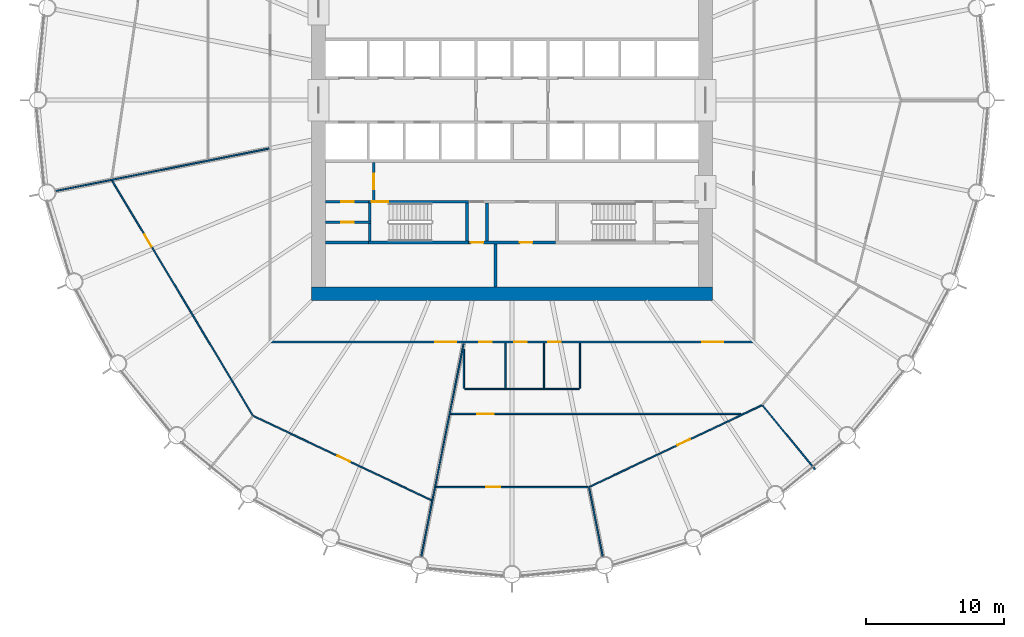
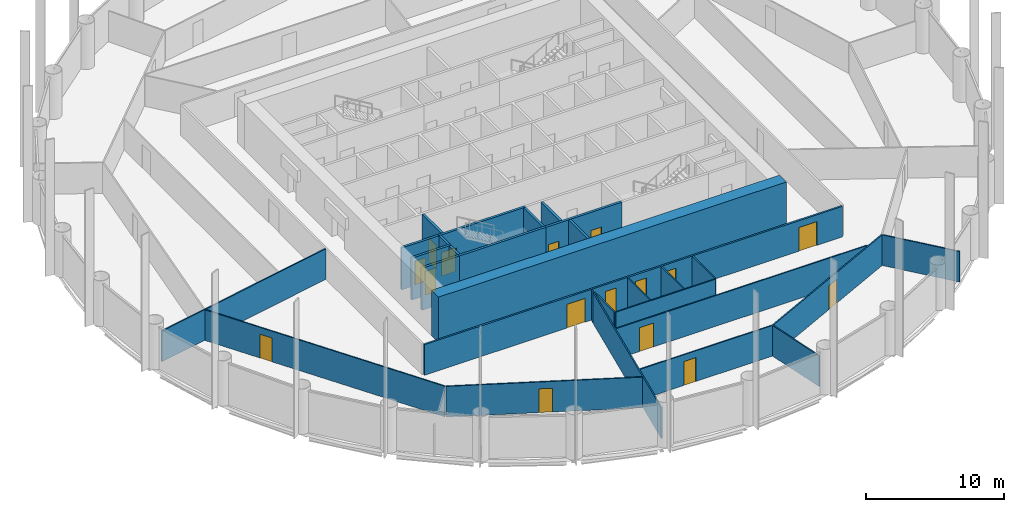
# One storey, part 4 of 10: 29 walls, 16 doors, 16 openings.
"""IFC4 building model written with IfcOpenShell, lengths in metres."""

from ifc_helpers import new_model, si_unit, direction, frame, frame_2d, origin, place, context, subcontext, project, spatial, polyline, rectangle, outline, extrude, material, layer, layer_set, type_object, element, fill, save


model = new_model("IFC4")

# Units and contexts
model_context = context("Model", 3, precision=1e-05, world=origin(), true_north=direction((0.0, 1.0)))
body_context = subcontext(model_context, "Body", "Model", "MODEL_VIEW")
ifc_project = project(units=[si_unit("LENGTHUNIT", "METRE"), si_unit("AREAUNIT", "SQUARE_METRE"), si_unit("VOLUMEUNIT", "CUBIC_METRE"), si_unit("PLANEANGLEUNIT", "RADIAN"), si_unit("MASSUNIT", "GRAM", prefix="KILO")], contexts=[model_context])

# Site, building, storey
site_placement = place(None, origin())
site = spatial("IfcSite", under=ifc_project, at=site_placement, CompositionType="ELEMENT")
building_placement = place(site_placement, origin())
building = spatial("IfcBuilding", under=site, at=building_placement, Name="Corvane Civic Tower", CompositionType="ELEMENT")
storey_placement = place(building_placement, frame((0.0, 0.0, 118.5)))
storey = spatial("IfcBuildingStorey", under=building, at=storey_placement, Name="L27", CompositionType="ELEMENT", Elevation=118.5)

# Wall
ifc_material_1 = material(Name="Concrete C70/85", Category="concrete")
ifc_layer_1 = layer(ifc_material_1, 1.0)
ifc_layer_set_1 = layer_set([ifc_layer_1], Name="Concrete C70/85")
wall_type_1 = type_object("IfcWallType", Name="CORE WALL 1000 C70/85", PredefinedType="SHEAR", material=ifc_layer_set_1)
wall_1_placement = place(storey_placement, frame((-14.5, -14.0, 0.0), z_axis=(0.0, 0.0, 1.0), x_axis=(1.0, 0.0, 0.0)))
element("IfcWall", 1, at=wall_1_placement, inside=storey, type_object=wall_type_1, Name="W-L27-core-S", PredefinedType="SHEAR", context=body_context, shape_type="SweptSolid", body=[
    extrude(rectangle(XDim=29.0, YDim=1.0, at=frame_2d((14.5, 0.0))), origin(), (0.0, 0.0, 1.0), 4.0),
])

# Wall, openings, doors
ifc_material_2 = material(Name="Concrete C30/37", Category="concrete")
ifc_layer_2 = layer(ifc_material_2, 0.199951171875)
ifc_layer_set_2 = layer_set([ifc_layer_2], Name="Concrete C30/37")
wall_type_2 = type_object("IfcWallType", Name="CR-WALL-200", PredefinedType="PARTITIONING", material=ifc_layer_set_2)
wall_2_placement = place(storey_placement, frame((-3.14990234375, -10.300048828125, 0.0), z_axis=(0.0, 0.0, 1.0), x_axis=(1.0, 0.0, 0.0)))
wall_2 = element("IfcWall", 2, at=wall_2_placement, inside=storey, type_object=wall_type_2, Name="L27 partition wall", PredefinedType="PARTITIONING", context=body_context, shape_type="SweptSolid", body=[
    extrude(rectangle(XDim=6.2998046875, YDim=0.199951171875, at=frame_2d((3.14990234375, 0.0))), origin(), (0.0, 0.0, 1.0), 3.699951171875),
])
opening_1_placement = place(wall_2_placement, frame((0.175048828125, 0.0, 0.0)))
opening_1 = element("IfcOpeningElement", 3, at=opening_1_placement, cuts=wall_2, Name="Opening L27.C08", PredefinedType="OPENING", context=body_context, shape_type="SweptSolid", body=[
    extrude(rectangle(XDim=0.89990234375, YDim=2.10009765625, at=frame_2d((0.449951171875, 1.050048828125))), frame((0.0, 0.10986328125, 0.0), z_axis=(0.0, -1.0, 0.0), x_axis=(1.0, 0.0, 0.0)), (0.0, 0.0, 1.0), 0.219970703125),
])
opening_2_placement = place(wall_2_placement, frame((3.72509765625, 0.0, 0.0)))
opening_2 = element("IfcOpeningElement", 4, at=opening_2_placement, cuts=wall_2, Name="Opening L27.C09", PredefinedType="OPENING", context=body_context, shape_type="SweptSolid", body=[
    extrude(rectangle(XDim=0.89990234375, YDim=2.10009765625, at=frame_2d((0.449951171875, 1.050048828125))), frame((0.0, 0.10986328125, 0.0), z_axis=(0.0, -1.0, 0.0), x_axis=(1.0, 0.0, 0.0)), (0.0, 0.0, 1.0), 0.219970703125),
])
ifc_material_3 = material(Name="Steel fire door leaf", Category="steel")
door_type_1 = type_object("IfcDoorType", Name="CR-DOOR-900", OperationType="SINGLE_SWING_LEFT", PredefinedType="DOOR", material=ifc_material_3)
door_1_placement = place(opening_1_placement, origin())
door_1 = element("IfcDoor", 5, at=door_1_placement, inside=storey, type_object=door_type_1, Name="L27 door", OperationType="SINGLE_SWING_LEFT", OverallHeight=2.10009765625, OverallWidth=0.89990234375, PredefinedType="DOOR", context=body_context, shape_type="SweptSolid", body=[
    extrude(rectangle(XDim=0.89990234375, YDim=2.10009765625, at=frame_2d((0.449951171875, 1.050048828125))), frame((0.0, 0.02490234375, 0.0), z_axis=(0.0, -1.0, 0.0), x_axis=(1.0, 0.0, 0.0)), (0.0, 0.0, 1.0), 0.050048828125),
])
fill(opening_1, door_1)
door_2_placement = place(opening_2_placement, origin())
door_2 = element("IfcDoor", 6, at=door_2_placement, inside=storey, type_object=door_type_1, Name="L27 door", OperationType="SINGLE_SWING_LEFT", OverallHeight=2.10009765625, OverallWidth=0.89990234375, PredefinedType="DOOR", context=body_context, shape_type="SweptSolid", body=[
    extrude(rectangle(XDim=0.89990234375, YDim=2.10009765625, at=frame_2d((0.449951171875, 1.050048828125))), frame((0.0, 0.02490234375, 0.0), z_axis=(0.0, -1.0, 0.0), x_axis=(1.0, 0.0, 0.0)), (0.0, 0.0, 1.0), 0.050048828125),
])
fill(opening_2, door_2)

# Wall, opening, door
wall_3_placement = place(storey_placement, frame((-13.5, -8.824951171875, 0.0), z_axis=(0.0, 0.0, 1.0), x_axis=(1.0, 0.0, 0.0)))
wall_3 = element("IfcWall", 7, at=wall_3_placement, inside=storey, type_object=wall_type_2, Name="L27 partition wall", PredefinedType="PARTITIONING", context=body_context, shape_type="SweptSolid", body=[
    extrude(rectangle(XDim=3.300048828125, YDim=0.199951171875, at=frame_2d((1.64990234375, 0.0))), origin(), (0.0, 0.0, 1.0), 3.699951171875),
])
opening_3_placement = place(wall_3_placement, frame((1.14990234375, 0.0, 0.0)))
opening_3 = element("IfcOpeningElement", 8, at=opening_3_placement, cuts=wall_3, Name="Opening L27.C13", PredefinedType="OPENING", context=body_context, shape_type="SweptSolid", body=[
    extrude(rectangle(XDim=0.89990234375, YDim=2.10009765625, at=frame_2d((0.449951171875, 1.050048828125))), frame((0.0, 0.10986328125, 0.0), z_axis=(0.0, -1.0, 0.0), x_axis=(1.0, 0.0, 0.0)), (0.0, 0.0, 1.0), 0.219970703125),
])
door_3_placement = place(opening_3_placement, origin())
door_3 = element("IfcDoor", 9, at=door_3_placement, inside=storey, type_object=door_type_1, Name="L27 door", OperationType="SINGLE_SWING_LEFT", OverallHeight=2.10009765625, OverallWidth=0.89990234375, PredefinedType="DOOR", context=body_context, shape_type="SweptSolid", body=[
    extrude(rectangle(XDim=0.89990234375, YDim=2.10009765625, at=frame_2d((0.449951171875, 1.050048828125))), frame((0.0, 0.02490234375, 0.0), z_axis=(0.0, -1.0, 0.0), x_axis=(1.0, 0.0, 0.0)), (0.0, 0.0, 1.0), 0.050048828125),
])
fill(opening_3, door_3)

wall_4_placement = place(storey_placement, frame((-13.5, -7.35009765625, 0.0), z_axis=(0.0, 0.0, 1.0), x_axis=(1.0, 0.0, 0.0)))
wall_4 = element("IfcWall", 10, at=wall_4_placement, inside=storey, type_object=wall_type_2, Name="L27 core partition wall", PredefinedType="PARTITIONING", context=body_context, shape_type="SweptSolid", body=[
    extrude(rectangle(XDim=3.10009765625, YDim=0.199951171875, at=frame_2d((1.550048828125, 0.0))), origin(), (0.0, 0.0, 1.0), 3.699951171875),
])
opening_4_placement = place(wall_4_placement, frame((1.14990234375, 0.0, 0.0)))
opening_4 = element("IfcOpeningElement", 11, at=opening_4_placement, cuts=wall_4, Name="Opening L27.C12", PredefinedType="OPENING", context=body_context, shape_type="SweptSolid", body=[
    extrude(rectangle(XDim=0.89990234375, YDim=2.10009765625, at=frame_2d((0.449951171875, 1.050048828125))), frame((0.0, 0.10986328125, 0.0), z_axis=(0.0, -1.0, 0.0), x_axis=(1.0, 0.0, 0.0)), (0.0, 0.0, 1.0), 0.219970703125),
])
door_4_placement = place(opening_4_placement, origin())
door_4 = element("IfcDoor", 12, at=door_4_placement, inside=storey, type_object=door_type_1, Name="L27 door", OperationType="SINGLE_SWING_LEFT", OverallHeight=2.10009765625, OverallWidth=0.89990234375, PredefinedType="DOOR", context=body_context, shape_type="SweptSolid", body=[
    extrude(rectangle(XDim=0.89990234375, YDim=2.10009765625, at=frame_2d((0.449951171875, 1.050048828125))), frame((0.0, 0.02490234375, 0.0), z_axis=(0.0, -1.0, 0.0), x_axis=(1.0, 0.0, 0.0)), (0.0, 0.0, 1.0), 0.050048828125),
])
fill(opening_4, door_4)

wall_5_placement = place(storey_placement, frame((-10.0, -7.25, 0.0), z_axis=(0.0, 0.0, 1.0), x_axis=(0.0, 1.0, 0.0)))
wall_5 = element("IfcWall", 13, at=wall_5_placement, inside=storey, type_object=wall_type_2, Name="L27 core partition wall", PredefinedType="PARTITIONING", context=body_context, shape_type="SweptSolid", body=[
    extrude(rectangle(XDim=2.75, YDim=0.199951171875, at=frame_2d((1.375, 0.0))), origin(), (0.0, 0.0, 1.0), 3.699951171875),
])
opening_5_placement = place(wall_5_placement, frame((0.824951171875, 0.0, 0.0)))
opening_5 = element("IfcOpeningElement", 14, at=opening_5_placement, cuts=wall_5, Name="Opening L27.C26", PredefinedType="OPENING", context=body_context, shape_type="SweptSolid", body=[
    extrude(rectangle(XDim=1.10009765625, YDim=2.10009765625, at=frame_2d((0.550048828125, 1.050048828125))), frame((0.0, 0.10986328125, 0.0), z_axis=(0.0, -1.0, 0.0), x_axis=(1.0, 0.0, 0.0)), (0.0, 0.0, 1.0), 0.219970703125),
])
ifc_material_4 = material(Name="Steel fire door leaf", Category="steel")
door_type_2 = type_object("IfcDoorType", Name="CR-DOOR-FFL-1100", OperationType="SINGLE_SWING_LEFT", PredefinedType="DOOR", material=ifc_material_4)
door_5_placement = place(opening_5_placement, origin())
door_5 = element("IfcDoor", 15, at=door_5_placement, inside=storey, type_object=door_type_2, Name="L27 lobby door", OperationType="SINGLE_SWING_LEFT", OverallHeight=2.10009765625, OverallWidth=1.10009765625, PredefinedType="DOOR", context=body_context, shape_type="SweptSolid", body=[
    extrude(rectangle(XDim=1.10009765625, YDim=2.10009765625, at=frame_2d((0.550048828125, 1.050048828125))), frame((0.0, 0.02490234375, 0.0), z_axis=(0.0, -1.0, 0.0), x_axis=(1.0, 0.0, 0.0)), (0.0, 0.0, 1.0), 0.050048828125),
])
fill(opening_5, door_5)

# Walls
wall_6_placement = place(storey_placement, origin())
element("IfcWall", 16, at=wall_6_placement, inside=storey, type_object=wall_type_2, Name="L27 core partition wall", PredefinedType="PARTITIONING", context=body_context, shape_type="SweptSolid", body=[
    extrude(outline(polyline([(-10.39990234375, -10.39990234375), (-13.5, -10.39990234375), (-13.5, -10.199951171875), (-10.39990234375, -10.199951171875), (-10.39990234375, -10.39990234375)])), origin(), (0.0, 0.0, 1.0), 3.699951171875),
])
wall_7_placement = place(storey_placement, origin())
element("IfcWall", 17, at=wall_7_placement, inside=storey, type_object=wall_type_2, Name="L27 core partition wall", PredefinedType="PARTITIONING", context=body_context, shape_type="SweptSolid", body=[
    extrude(outline(polyline([(-1.699951171875, -7.449951171875), (-1.699951171875, -10.199951171875), (-1.89990234375, -10.199951171875), (-1.89990234375, -7.449951171875), (-1.699951171875, -7.449951171875)])), origin(), (0.0, 0.0, 1.0), 3.699951171875),
])
wall_8_placement = place(storey_placement, origin())
element("IfcWall", 18, at=wall_8_placement, inside=storey, type_object=wall_type_2, Name="L27 core partition wall", PredefinedType="PARTITIONING", context=body_context, shape_type="SweptSolid", body=[
    extrude(outline(polyline([(-1.10009765625, -10.39990234375), (-1.10009765625, -13.5), (-1.300048828125, -13.5), (-1.300048828125, -10.39990234375), (-1.10009765625, -10.39990234375)])), origin(), (0.0, 0.0, 1.0), 3.699951171875),
])
ifc_material_5 = material(Name="Plasterboard")
ifc_layer_3 = layer(ifc_material_5, 0.10009765625)
ifc_layer_set_3 = layer_set([ifc_layer_3], Name="Plasterboard")
wall_type_3 = type_object("IfcWallType", Name="Partition 100 plasterboard on studs", PredefinedType="PARTITIONING", material=ifc_layer_set_3)
wall_9_placement = place(storey_placement, frame((-6.567626953125, -33.01806640625, 0.0), z_axis=(0.0, 0.0, 1.0), x_axis=(0.195082522727, 0.980786831746, 0.0)))
element("IfcWall", 19, at=wall_9_placement, inside=storey, type_object=wall_type_3, Name="Partition L27.001", PredefinedType="PARTITIONING", context=body_context, shape_type="SweptSolid", body=[
    extrude(rectangle(XDim=15.309326171875, YDim=0.10009765625, at=frame_2d((7.65478515625, 0.0))), origin(), (0.0, 0.0, 1.0), 2.699951171875),
])
wall_10_placement = place(storey_placement, frame((5.576416015625, -28.034912109375, 0.0), z_axis=(0.0, 0.0, 1.0), x_axis=(0.195090306735, -0.980785283443, 0.0)))
element("IfcWall", 20, at=wall_10_placement, inside=storey, type_object=wall_type_3, Name="Partition L27.002", PredefinedType="PARTITIONING", context=body_context, shape_type="SweptSolid", body=[
    extrude(rectangle(XDim=5.080810546875, YDim=0.10009765625, at=frame_2d((2.54052734375, 0.0))), origin(), (0.0, 0.0, 1.0), 2.699951171875),
])

# Wall, opening, door
wall_11_placement = place(storey_placement, frame((-18.70751953125, -22.854736328125, 0.0), z_axis=(0.0, 0.0, 1.0), x_axis=(0.903989828482, -0.427553961508, 0.0)))
wall_11 = element("IfcWall", 21, at=wall_11_placement, inside=storey, type_object=wall_type_3, Name="Partition L27.003", PredefinedType="PARTITIONING", context=body_context, shape_type="SweptSolid", body=[
    extrude(rectangle(XDim=14.25439453125, YDim=0.10009765625, at=frame_2d((7.127197265625, 0.0))), origin(), (0.0, 0.0, 1.0), 2.699951171875),
])
opening_6_placement = place(wall_11_placement, frame((6.72900390625, 0.0, 0.0)))
opening_6 = element("IfcOpeningElement", 22, at=opening_6_placement, cuts=wall_11, Name="Opening L27.001", PredefinedType="OPENING", context=body_context, shape_type="SweptSolid", body=[
    extrude(rectangle(XDim=1.0, YDim=2.10009765625, at=frame_2d((0.5, 1.050048828125))), frame((0.0, 0.06005859375, 0.0), z_axis=(0.0, -1.0, 0.0), x_axis=(1.0, 0.0, 0.0)), (0.0, 0.0, 1.0), 0.1201171875),
])
ifc_material_6 = material(Name="Timber", Category="wood")
door_type_3 = type_object("IfcDoorType", Name="Single door 1000", OperationType="NOTDEFINED", PredefinedType="DOOR", material=ifc_material_6)
door_6_placement = place(opening_6_placement, frame((1.0, 0.0, 0.0), z_axis=(0.0, 0.0, 1.0), x_axis=(-1.0, 0.0, 0.0)))
door_6 = element("IfcDoor", 23, at=door_6_placement, inside=storey, type_object=door_type_3, Name="Door L27.001", OperationType="SINGLE_SWING_LEFT", OverallHeight=2.10009765625, OverallWidth=1.0, PredefinedType="DOOR", context=body_context, shape_type="SweptSolid", body=[
    extrude(rectangle(XDim=1.0, YDim=2.10009765625, at=frame_2d((0.5, 1.050048828125))), frame((0.0, 0.02490234375, 0.0), z_axis=(0.0, -1.0, 0.0), x_axis=(1.0, 0.0, 0.0)), (0.0, 0.0, 1.0), 0.050048828125),
])
fill(opening_6, door_6)

wall_12_placement = place(storey_placement, frame((-5.507568359375, -27.994384765625, 0.0), z_axis=(0.0, 0.0, 1.0), x_axis=(1.0, 0.0, 0.0)))
wall_12 = element("IfcWall", 24, at=wall_12_placement, inside=storey, type_object=wall_type_3, Name="Partition L27.004", PredefinedType="PARTITIONING", context=body_context, shape_type="SweptSolid", body=[
    extrude(rectangle(XDim=11.034912109375, YDim=0.10009765625, at=frame_2d((5.517578125, 0.0))), origin(), (0.0, 0.0, 1.0), 2.699951171875),
])
opening_7_placement = place(wall_12_placement, frame((3.6533203125, 0.0, 0.0)))
opening_7 = element("IfcOpeningElement", 25, at=opening_7_placement, cuts=wall_12, Name="Opening L27.020", PredefinedType="OPENING", context=body_context, shape_type="SweptSolid", body=[
    extrude(rectangle(XDim=1.0, YDim=2.10009765625, at=frame_2d((0.5, 1.050048828125))), frame((0.0, 0.06005859375, 0.0), z_axis=(0.0, -1.0, 0.0), x_axis=(1.0, 0.0, 0.0)), (0.0, 0.0, 1.0), 0.1201171875),
])
door_7_placement = place(opening_7_placement, frame((1.0, 0.0, 0.0), z_axis=(0.0, 0.0, 1.0), x_axis=(-1.0, 0.0, 0.0)))
door_7 = element("IfcDoor", 26, at=door_7_placement, inside=storey, type_object=door_type_3, Name="Door L27.020", OperationType="SINGLE_SWING_LEFT", OverallHeight=2.10009765625, OverallWidth=1.0, PredefinedType="DOOR", context=body_context, shape_type="SweptSolid", body=[
    extrude(rectangle(XDim=1.0, YDim=2.10009765625, at=frame_2d((0.5, 1.050048828125))), frame((0.0, 0.02490234375, 0.0), z_axis=(0.0, -1.0, 0.0), x_axis=(1.0, 0.0, 0.0)), (0.0, 0.0, 1.0), 0.050048828125),
])
fill(opening_7, door_7)

wall_13_placement = place(storey_placement, frame((5.603759765625, -27.977783203125, 0.0), z_axis=(0.0, 0.0, 1.0), x_axis=(0.903994657209, 0.42754375184, 0.0)))
wall_13 = element("IfcWall", 27, at=wall_13_placement, inside=storey, type_object=wall_type_3, Name="Partition L27.005", PredefinedType="PARTITIONING", context=body_context, shape_type="SweptSolid", body=[
    extrude(rectangle(XDim=13.792724609375, YDim=0.10009765625, at=frame_2d((6.896484375, 0.0))), origin(), (0.0, 0.0, 1.0), 2.699951171875),
])
opening_8_placement = place(wall_13_placement, frame((7.0439453125, 0.0, 0.0)))
opening_8 = element("IfcOpeningElement", 28, at=opening_8_placement, cuts=wall_13, Name="Opening L27.019", PredefinedType="OPENING", context=body_context, shape_type="SweptSolid", body=[
    extrude(rectangle(XDim=1.0, YDim=2.10009765625, at=frame_2d((0.5, 1.050048828125))), frame((0.0, 0.06005859375, 0.0), z_axis=(0.0, -1.0, 0.0), x_axis=(1.0, 0.0, 0.0)), (0.0, 0.0, 1.0), 0.1201171875),
])
door_8_placement = place(opening_8_placement, frame((1.0, 0.0, 0.0), z_axis=(0.0, 0.0, 1.0), x_axis=(-1.0, 0.0, 0.0)))
door_8 = element("IfcDoor", 29, at=door_8_placement, inside=storey, type_object=door_type_3, Name="Door L27.019", OperationType="SINGLE_SWING_LEFT", OverallHeight=2.10009765625, OverallWidth=1.0, PredefinedType="DOOR", context=body_context, shape_type="SweptSolid", body=[
    extrude(rectangle(XDim=1.0, YDim=2.10009765625, at=frame_2d((0.5, 1.050048828125))), frame((0.0, 0.02490234375, 0.0), z_axis=(0.0, -1.0, 0.0), x_axis=(1.0, 0.0, 0.0)), (0.0, 0.0, 1.0), 0.050048828125),
])
fill(opening_8, door_8)

# Wall
wall_14_placement = place(storey_placement, frame((18.133544921875, -22.095703125, 0.0), z_axis=(0.0, 0.0, 1.0), x_axis=(0.634382451153, -0.773019343658, 0.0)))
element("IfcWall", 30, at=wall_14_placement, inside=storey, type_object=wall_type_3, Name="Partition L27.007", PredefinedType="PARTITIONING", context=body_context, shape_type="SweptSolid", body=[
    extrude(rectangle(XDim=5.96630859375, YDim=0.10009765625, at=frame_2d((2.983154296875, 0.0))), origin(), (0.0, 0.0, 1.0), 2.699951171875),
])

# Wall, opening, door
wall_15_placement = place(storey_placement, frame((-28.93994140625, -5.82470703125, 0.0), z_axis=(0.0, 0.0, 1.0), x_axis=(0.514098592788, -0.857731098243, 0.0)))
wall_15 = element("IfcWall", 31, at=wall_15_placement, inside=storey, type_object=wall_type_3, Name="Partition L27.008", PredefinedType="PARTITIONING", context=body_context, shape_type="SweptSolid", body=[
    extrude(rectangle(XDim=19.800048828125, YDim=0.10009765625, at=frame_2d((9.89990234375, 0.0))), origin(), (0.0, 0.0, 1.0), 2.699951171875),
])
opening_9_placement = place(wall_15_placement, frame((4.54931640625, 0.0, 0.0)))
opening_9 = element("IfcOpeningElement", 32, at=opening_9_placement, cuts=wall_15, Name="Opening L27.002", PredefinedType="OPENING", context=body_context, shape_type="SweptSolid", body=[
    extrude(rectangle(XDim=1.0, YDim=2.10009765625, at=frame_2d((0.5, 1.050048828125))), frame((0.0, 0.06005859375, 0.0), z_axis=(0.0, -1.0, 0.0), x_axis=(1.0, 0.0, 0.0)), (0.0, 0.0, 1.0), 0.1201171875),
])
door_9_placement = place(opening_9_placement, frame((1.0, 0.0, 0.0), z_axis=(0.0, 0.0, 1.0), x_axis=(-1.0, 0.0, 0.0)))
door_9 = element("IfcDoor", 33, at=door_9_placement, inside=storey, type_object=door_type_3, Name="Door L27.002", OperationType="SINGLE_SWING_LEFT", OverallHeight=2.10009765625, OverallWidth=1.0, PredefinedType="DOOR", context=body_context, shape_type="SweptSolid", body=[
    extrude(rectangle(XDim=1.0, YDim=2.10009765625, at=frame_2d((0.5, 1.050048828125))), frame((0.0, 0.02490234375, 0.0), z_axis=(0.0, -1.0, 0.0), x_axis=(1.0, 0.0, 0.0)), (0.0, 0.0, 1.0), 0.050048828125),
])
fill(opening_9, door_9)

wall_16_placement = place(storey_placement, frame((-4.454345703125, -22.699951171875, 0.0), z_axis=(0.0, 0.0, 1.0), x_axis=(1.0, 0.0, 0.0)))
wall_16 = element("IfcWall", 34, at=wall_16_placement, inside=storey, type_object=wall_type_3, Name="Partition L27.009", PredefinedType="PARTITIONING", context=body_context, shape_type="SweptSolid", body=[
    extrude(rectangle(XDim=20.99462890625, YDim=0.10009765625, at=frame_2d((10.497314453125, 0.0))), origin(), (0.0, 0.0, 1.0), 2.699951171875),
])
opening_10_placement = place(wall_16_placement, frame((1.93359375, 0.0, 0.0)))
opening_10 = element("IfcOpeningElement", 35, at=opening_10_placement, cuts=wall_16, Name="Opening L27.021", PredefinedType="OPENING", context=body_context, shape_type="SweptSolid", body=[
    extrude(rectangle(XDim=1.199951171875, YDim=2.10009765625, at=frame_2d((0.60009765625, 1.050048828125))), frame((0.0, 0.06005859375, 0.0), z_axis=(0.0, -1.0, 0.0), x_axis=(1.0, 0.0, 0.0)), (0.0, 0.0, 1.0), 0.1201171875),
])
ifc_material_7 = material(Name="Timber", Category="wood")
door_type_4 = type_object("IfcDoorType", Name="Double door 1200", OperationType="NOTDEFINED", PredefinedType="DOOR", material=ifc_material_7)
door_10_placement = place(opening_10_placement, frame((1.199951171875, 0.0, 0.0), z_axis=(0.0, 0.0, 1.0), x_axis=(-1.0, 0.0, 0.0)))
door_10 = element("IfcDoor", 36, at=door_10_placement, inside=storey, type_object=door_type_4, Name="Door L27.021", OperationType="DOUBLE_DOOR_SINGLE_SWING", OverallHeight=2.10009765625, OverallWidth=1.199951171875, PredefinedType="DOOR", context=body_context, shape_type="SweptSolid", body=[
    extrude(rectangle(XDim=1.199951171875, YDim=2.10009765625, at=frame_2d((0.60009765625, 1.050048828125))), frame((0.0, 0.02490234375, 0.0), z_axis=(0.0, -1.0, 0.0), x_axis=(1.0, 0.0, 0.0)), (0.0, 0.0, 1.0), 0.050048828125),
])
fill(opening_10, door_10)

# Walls
wall_17_placement = place(storey_placement, frame((-3.430908203125, -20.89990234375, 0.0), z_axis=(0.0, 0.0, 1.0), x_axis=(1.0, 0.0, 0.0)))
element("IfcWall", 37, at=wall_17_placement, inside=storey, type_object=wall_type_3, Name="Partition L27.011", PredefinedType="PARTITIONING", context=body_context, shape_type="SweptSolid", body=[
    extrude(rectangle(XDim=8.2998046875, YDim=0.10009765625, at=frame_2d((4.14990234375, 0.0))), origin(), (0.0, 0.0, 1.0), 2.699951171875),
])
wall_18_placement = place(storey_placement, frame((-3.48095703125, -20.85009765625, 0.0), z_axis=(0.0, 0.0, 1.0), x_axis=(0.0, 1.0, 0.0)))
element("IfcWall", 38, at=wall_18_placement, inside=storey, type_object=wall_type_3, Name="Partition L27.012", PredefinedType="PARTITIONING", context=body_context, shape_type="SweptSolid", body=[
    extrude(rectangle(XDim=2.84228515625, YDim=0.10009765625, at=frame_2d((1.421142578125, 0.0))), origin(), (0.0, 0.0, 1.0), 2.699951171875),
])
for number, where, z_axis, x_axis, name in (
    (39, (-0.48095703125, -20.85009765625, 0.0), (0.0, 0.0, 1.0), (0.0, 1.0, 0.0), "Partition L27.013"),
    (40, (2.319091796875, -20.85009765625, 0.0), (0.0, 0.0, 1.0), (0.0, 1.0, 0.0), "Partition L27.014"),
    (41, (4.9189453125, -20.85009765625, 0.0), (0.0, 0.0, 1.0), (0.0, 1.0, 0.0), "Partition L27.015"),
):
    element("IfcWall", number, at=place(storey_placement, frame(where, z_axis=z_axis, x_axis=x_axis)), inside=storey, type_object=wall_type_3, Name=name, PredefinedType="PARTITIONING", context=body_context, shape_type="SweptSolid", body=[
        extrude(rectangle(XDim=3.275146484375, YDim=0.10009765625, at=frame_2d((1.6376953125, 0.0))), origin(), (0.0, 0.0, 1.0), 2.699951171875),
    ])
wall_19_placement = place(storey_placement, frame((-33.01806640625, -6.567626953125, 0.0), z_axis=(0.0, 0.0, 1.0), x_axis=(0.980786008626, 0.195086660958, 0.0)))
element("IfcWall", 42, at=wall_19_placement, inside=storey, type_object=wall_type_3, Name="Partition L27.022", PredefinedType="PARTITIONING", context=body_context, shape_type="SweptSolid", body=[
    extrude(rectangle(XDim=15.735595703125, YDim=0.10009765625, at=frame_2d((7.86767578125, 0.0))), origin(), (0.0, 0.0, 1.0), 2.699951171875),
])
wall_20_placement = place(storey_placement, frame((-3.5810546875, -18.0029296875, 0.0), z_axis=(0.0, 0.0, 1.0), x_axis=(0.195047719412, 0.980793753626, 0.0)))
element("IfcWall", 43, at=wall_20_placement, inside=storey, type_object=wall_type_3, Name="Partition L27.042", PredefinedType="PARTITIONING", context=body_context, shape_type="SweptSolid", body=[
    extrude(rectangle(XDim=0.3955078125, YDim=0.10009765625, at=frame_2d((0.19775390625, 0.0))), origin(), (0.0, 0.0, 1.0), 2.699951171875),
])

# Wall, opening, door
ifc_material_8 = material(Name="Concrete C50/60", Category="concrete")
ifc_layer_4 = layer(ifc_material_8, 0.199951171875)
ifc_layer_set_4 = layer_set([ifc_layer_4], Name="Concrete C50/60")
wall_type_4 = type_object("IfcWallType", Name="ST-WALL-200", PredefinedType="SHEAR", material=ifc_layer_set_4)
wall_21_placement = place(storey_placement, frame((-10.39990234375, -7.35009765625, 0.0), z_axis=(0.0, 0.0, 1.0), x_axis=(1.0, 0.0, 0.0)))
wall_21 = element("IfcWall", 44, at=wall_21_placement, inside=storey, type_object=wall_type_4, Name="L27 stair enclosure wall", PredefinedType="SHEAR", context=body_context, shape_type="SweptSolid", body=[
    extrude(rectangle(XDim=7.25, YDim=0.199951171875, at=frame_2d((3.625, 0.0))), origin(), (0.0, 0.0, 1.0), 3.699951171875),
])
opening_11_placement = place(wall_21_placement, frame((0.25, 0.0, 0.0)))
opening_11 = element("IfcOpeningElement", 45, at=opening_11_placement, cuts=wall_21, Name="Opening L27.C23", PredefinedType="OPENING", context=body_context, shape_type="SweptSolid", body=[
    extrude(rectangle(XDim=1.199951171875, YDim=2.10009765625, at=frame_2d((0.60009765625, 1.050048828125))), frame((0.0, 0.10986328125, 0.0), z_axis=(0.0, -1.0, 0.0), x_axis=(1.0, 0.0, 0.0)), (0.0, 0.0, 1.0), 0.219970703125),
])
ifc_material_9 = material(Name="Steel fire door leaf", Category="steel")
door_type_5 = type_object("IfcDoorType", Name="ST-DOOR-1200", OperationType="SINGLE_SWING_RIGHT", PredefinedType="DOOR", material=ifc_material_9)
door_11_placement = place(opening_11_placement, origin())
door_11 = element("IfcDoor", 46, at=door_11_placement, inside=storey, type_object=door_type_5, Name="L27 stair door", OperationType="SINGLE_SWING_RIGHT", OverallHeight=2.10009765625, OverallWidth=1.199951171875, PredefinedType="DOOR", context=body_context, shape_type="SweptSolid", body=[
    extrude(rectangle(XDim=1.199951171875, YDim=2.10009765625, at=frame_2d((0.60009765625, 1.050048828125))), frame((0.0, 0.02490234375, 0.0), z_axis=(0.0, -1.0, 0.0), x_axis=(1.0, 0.0, 0.0)), (0.0, 0.0, 1.0), 0.050048828125),
])
fill(opening_11, door_11)

# Walls
wall_22_placement = place(storey_placement, origin())
element("IfcWall", 47, at=wall_22_placement, inside=storey, type_object=wall_type_4, Name="L27 stair enclosure wall", PredefinedType="SHEAR", context=body_context, shape_type="SweptSolid", body=[
    extrude(outline(polyline([(-3.14990234375, -10.199951171875), (-3.14990234375, -10.39990234375), (-10.39990234375, -10.39990234375), (-10.39990234375, -10.199951171875), (-3.14990234375, -10.199951171875)])), origin(), (0.0, 0.0, 1.0), 3.699951171875),
])
wall_23_placement = place(storey_placement, origin())
element("IfcWall", 48, at=wall_23_placement, inside=storey, type_object=wall_type_4, Name="L27 stair enclosure wall", PredefinedType="SHEAR", context=body_context, shape_type="SweptSolid", body=[
    extrude(outline(polyline([(-3.14990234375, -7.449951171875), (-3.14990234375, -10.199951171875), (-3.35009765625, -10.199951171875), (-3.35009765625, -7.449951171875), (-3.14990234375, -7.449951171875)])), origin(), (0.0, 0.0, 1.0), 3.699951171875),
])
wall_24_placement = place(storey_placement, origin())
element("IfcWall", 49, at=wall_24_placement, inside=storey, type_object=wall_type_4, Name="L27 stair enclosure wall", PredefinedType="SHEAR", context=body_context, shape_type="SweptSolid", body=[
    extrude(outline(polyline([(-10.199951171875, -7.449951171875), (-10.199951171875, -8.72509765625), (-10.39990234375, -8.72509765625), (-10.39990234375, -7.449951171875), (-10.199951171875, -7.449951171875)])), origin(), (0.0, 0.0, 1.0), 3.699951171875),
])
wall_25_placement = place(storey_placement, origin())
element("IfcWall", 50, at=wall_25_placement, inside=storey, type_object=wall_type_4, Name="L27 stair enclosure wall", PredefinedType="SHEAR", context=body_context, shape_type="SweptSolid", body=[
    extrude(outline(polyline([(-10.199951171875, -8.925048828125), (-10.199951171875, -10.199951171875), (-10.39990234375, -10.199951171875), (-10.39990234375, -8.925048828125), (-10.199951171875, -8.925048828125)])), origin(), (0.0, 0.0, 1.0), 3.699951171875),
])

# Wall, openings, doors
ifc_material_10 = material(Name="Plasterboard")
ifc_layer_5 = layer(ifc_material_10, 0.14990234375)
ifc_layer_set_5 = layer_set([ifc_layer_5], Name="Plasterboard")
wall_type_5 = type_object("IfcWallType", Name="Tenancy wall 150 EI 60", PredefinedType="PARTITIONING", material=ifc_layer_set_5)
wall_26_placement = place(storey_placement, frame((-17.425048828125, -17.5, 0.0), z_axis=(0.0, 0.0, 1.0), x_axis=(1.0, 0.0, 0.0)))
wall_26 = element("IfcWall", 51, at=wall_26_placement, inside=storey, type_object=wall_type_5, Name="Partition L27.016", PredefinedType="PARTITIONING", context=body_context, shape_type="SweptSolid", body=[
    extrude(rectangle(XDim=34.85009765625, YDim=0.14990234375, at=frame_2d((17.425048828125, 0.0))), origin(), (0.0, 0.0, 1.0), 2.699951171875),
])
opening_12_placement = place(wall_26_placement, frame((11.8759765625, 0.0, 0.0)))
opening_12 = element("IfcOpeningElement", 52, at=opening_12_placement, cuts=wall_26, Name="Opening L27.003", PredefinedType="OPENING", context=body_context, shape_type="SweptSolid", body=[
    extrude(rectangle(XDim=1.5, YDim=2.10009765625, at=frame_2d((0.75, 1.050048828125))), frame((0.0, 0.0849609375, 0.0), z_axis=(0.0, -1.0, 0.0), x_axis=(1.0, 0.0, 0.0)), (0.0, 0.0, 1.0), 0.169921875),
])
opening_13_placement = place(wall_26_placement, frame((31.19482421875, 0.0, 0.0)))
opening_13 = element("IfcOpeningElement", 53, at=opening_13_placement, cuts=wall_26, Name="Opening L27.022", PredefinedType="OPENING", context=body_context, shape_type="SweptSolid", body=[
    extrude(rectangle(XDim=1.5, YDim=2.10009765625, at=frame_2d((0.75, 1.050048828125))), frame((0.0, 0.0849609375, 0.0), z_axis=(0.0, -1.0, 0.0), x_axis=(1.0, 0.0, 0.0)), (0.0, 0.0, 1.0), 0.169921875),
])
opening_14_placement = place(wall_26_placement, frame((15.0625, 0.0, 0.0)))
opening_14 = element("IfcOpeningElement", 54, at=opening_14_placement, cuts=wall_26, Name="Opening L27.023", PredefinedType="OPENING", context=body_context, shape_type="SweptSolid", body=[
    extrude(rectangle(XDim=0.89990234375, YDim=2.10009765625, at=frame_2d((0.449951171875, 1.050048828125))), frame((0.0, 0.0849609375, 0.0), z_axis=(0.0, -1.0, 0.0), x_axis=(1.0, 0.0, 0.0)), (0.0, 0.0, 1.0), 0.169921875),
])
opening_15_placement = place(wall_26_placement, frame((17.595703125, 0.0, 0.0)))
opening_15 = element("IfcOpeningElement", 55, at=opening_15_placement, cuts=wall_26, Name="Opening L27.024", PredefinedType="OPENING", context=body_context, shape_type="SweptSolid", body=[
    extrude(rectangle(XDim=0.89990234375, YDim=2.10009765625, at=frame_2d((0.449951171875, 1.050048828125))), frame((0.0, 0.0849609375, 0.0), z_axis=(0.0, -1.0, 0.0), x_axis=(1.0, 0.0, 0.0)), (0.0, 0.0, 1.0), 0.169921875),
])
opening_16_placement = place(wall_26_placement, frame((20.037353515625, 0.0, 0.0)))
opening_16 = element("IfcOpeningElement", 56, at=opening_16_placement, cuts=wall_26, Name="Opening L27.025", PredefinedType="OPENING", context=body_context, shape_type="SweptSolid", body=[
    extrude(rectangle(XDim=0.89990234375, YDim=2.10009765625, at=frame_2d((0.449951171875, 1.050048828125))), frame((0.0, 0.0849609375, 0.0), z_axis=(0.0, -1.0, 0.0), x_axis=(1.0, 0.0, 0.0)), (0.0, 0.0, 1.0), 0.169921875),
])
ifc_material_11 = material(Name="Steel and timber", Category="steel")
door_type_6 = type_object("IfcDoorType", Name="Fire door FD30S 900", OperationType="NOTDEFINED", PredefinedType="DOOR", material=ifc_material_11)
door_12_placement = place(opening_14_placement, frame((0.89990234375, 0.0, 0.0), z_axis=(0.0, 0.0, 1.0), x_axis=(-1.0, 0.0, 0.0)))
door_12 = element("IfcDoor", 57, at=door_12_placement, inside=storey, type_object=door_type_6, Name="Door L27.023", OperationType="SINGLE_SWING_LEFT", OverallHeight=2.10009765625, OverallWidth=0.89990234375, PredefinedType="DOOR", context=body_context, shape_type="SweptSolid", body=[
    extrude(rectangle(XDim=0.89990234375, YDim=2.10009765625, at=frame_2d((0.449951171875, 1.050048828125))), frame((0.0, 0.02490234375, 0.0), z_axis=(0.0, -1.0, 0.0), x_axis=(1.0, 0.0, 0.0)), (0.0, 0.0, 1.0), 0.050048828125),
])
fill(opening_14, door_12)
door_13_placement = place(opening_15_placement, frame((0.89990234375, 0.0, 0.0), z_axis=(0.0, 0.0, 1.0), x_axis=(-1.0, 0.0, 0.0)))
door_13 = element("IfcDoor", 58, at=door_13_placement, inside=storey, type_object=door_type_6, Name="Door L27.024", OperationType="SINGLE_SWING_RIGHT", OverallHeight=2.10009765625, OverallWidth=0.89990234375, PredefinedType="DOOR", context=body_context, shape_type="SweptSolid", body=[
    extrude(rectangle(XDim=0.89990234375, YDim=2.10009765625, at=frame_2d((0.449951171875, 1.050048828125))), frame((0.0, 0.02490234375, 0.0), z_axis=(0.0, -1.0, 0.0), x_axis=(1.0, 0.0, 0.0)), (0.0, 0.0, 1.0), 0.050048828125),
])
fill(opening_15, door_13)
door_14_placement = place(opening_16_placement, frame((0.89990234375, 0.0, 0.0), z_axis=(0.0, 0.0, 1.0), x_axis=(-1.0, 0.0, 0.0)))
door_14 = element("IfcDoor", 59, at=door_14_placement, inside=storey, type_object=door_type_6, Name="Door L27.025", OperationType="SINGLE_SWING_LEFT", OverallHeight=2.10009765625, OverallWidth=0.89990234375, PredefinedType="DOOR", context=body_context, shape_type="SweptSolid", body=[
    extrude(rectangle(XDim=0.89990234375, YDim=2.10009765625, at=frame_2d((0.449951171875, 1.050048828125))), frame((0.0, 0.02490234375, 0.0), z_axis=(0.0, -1.0, 0.0), x_axis=(1.0, 0.0, 0.0)), (0.0, 0.0, 1.0), 0.050048828125),
])
fill(opening_16, door_14)
ifc_material_12 = material(Name="Steel and timber", Category="steel")
door_type_7 = type_object("IfcDoorType", Name="Fire door FD60 double 1500", OperationType="NOTDEFINED", PredefinedType="DOOR", material=ifc_material_12)
door_15_placement = place(opening_12_placement, frame((1.5, 0.0, 0.0), z_axis=(0.0, 0.0, 1.0), x_axis=(-1.0, 0.0, 0.0)))
door_15 = element("IfcDoor", 60, at=door_15_placement, inside=storey, type_object=door_type_7, Name="Door L27.003", OperationType="DOUBLE_DOOR_SINGLE_SWING", OverallHeight=2.10009765625, OverallWidth=1.5, PredefinedType="DOOR", context=body_context, shape_type="SweptSolid", body=[
    extrude(rectangle(XDim=1.5, YDim=2.10009765625, at=frame_2d((0.75, 1.050048828125))), frame((0.0, 0.02490234375, 0.0), z_axis=(0.0, -1.0, 0.0), x_axis=(1.0, 0.0, 0.0)), (0.0, 0.0, 1.0), 0.050048828125),
])
fill(opening_12, door_15)
door_16_placement = place(opening_13_placement, frame((1.5, 0.0, 0.0), z_axis=(0.0, 0.0, 1.0), x_axis=(-1.0, 0.0, 0.0)))
door_16 = element("IfcDoor", 61, at=door_16_placement, inside=storey, type_object=door_type_7, Name="Door L27.022", OperationType="DOUBLE_DOOR_SINGLE_SWING", OverallHeight=2.10009765625, OverallWidth=1.5, PredefinedType="DOOR", context=body_context, shape_type="SweptSolid", body=[
    extrude(rectangle(XDim=1.5, YDim=2.10009765625, at=frame_2d((0.75, 1.050048828125))), frame((0.0, 0.02490234375, 0.0), z_axis=(0.0, -1.0, 0.0), x_axis=(1.0, 0.0, 0.0)), (0.0, 0.0, 1.0), 0.050048828125),
])
fill(opening_13, door_16)

save(model, "model.ifc")
